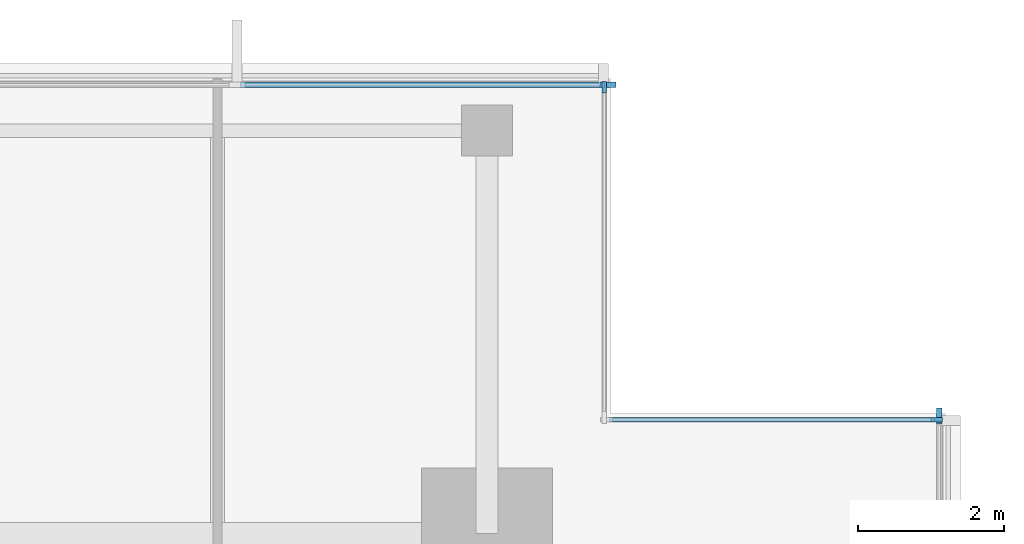
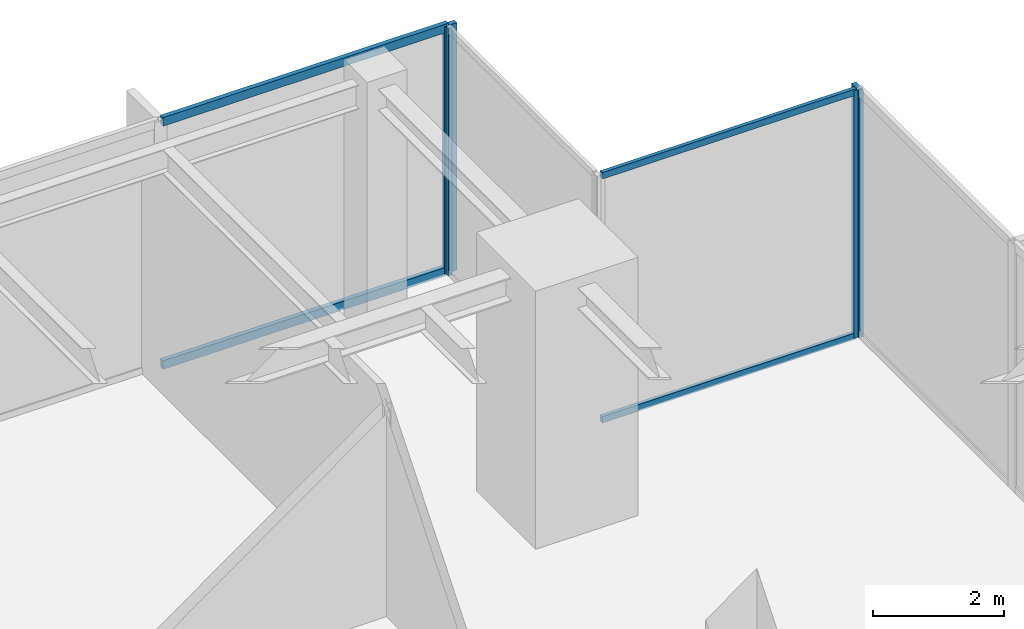
# One storey, part 6 of 14: 8 members, 4 elements without a shape of their own.
"""IFC4 building model written with IfcOpenShell, lengths in metres."""

from ifc_helpers import new_model, si_unit, direction, frame, origin, origin_2d, place, context, subcontext, project, spatial, rectangle, extrude, material, layer, layer_set, material_profile, profile_set, type_object, element, aggregate, save


model = new_model("IFC4")

# Units and contexts
model_context = context("Model", 3, precision=1e-05, world=origin(), true_north=direction((0.0, 1.0)))
body_context = subcontext(model_context, "Body", "Model", "MODEL_VIEW")
ifc_project = project(units=[si_unit("LENGTHUNIT", "METRE"), si_unit("AREAUNIT", "SQUARE_METRE"), si_unit("VOLUMEUNIT", "CUBIC_METRE"), si_unit("PLANEANGLEUNIT", "RADIAN"), si_unit("MASSUNIT", "GRAM", prefix="KILO")], contexts=[model_context])

# Site, building, storey
site_placement = place(None, origin())
site = spatial("IfcSite", under=ifc_project, at=site_placement, CompositionType="ELEMENT")
building_placement = place(site_placement, origin())
building = spatial("IfcBuilding", under=site, at=building_placement, Name="Kinhvarn Gate Tower", CompositionType="ELEMENT")
storey_placement = place(building_placement, frame((0.0, 0.0, 291.85009765625)))
storey = spatial("IfcBuildingStorey", under=building, at=storey_placement, Name="L78", CompositionType="ELEMENT", Elevation=291.85009765625)

# Curtain wall, member
ifc_material = material(Name="Anodised aluminium AW-6063", Category="aluminium")
ifc_layer_1 = layer(ifc_material, 0.179931640625)
ifc_layer_set_1 = layer_set([ifc_layer_1], Name="Anodised aluminium AW-6063")
curtain_wall_type_1 = type_object("IfcCurtainWallType", Name="CW-SYS-4", PredefinedType="NOTDEFINED", material=ifc_layer_set_1)
curtain_wall_1_placement = place(storey_placement, origin())
curtain_wall_1 = element("IfcCurtainWall", 1, at=curtain_wall_1_placement, inside=storey, type_object=curtain_wall_type_1, Name="Curtain Wall CW4 (L78)", PredefinedType="NOTDEFINED")
ifc_material_profile_1 = material_profile(ifc_material, rectangle(XDim=0.06494140625, YDim=0.159912109375, at=origin_2d()), Name="ALU 65x160")
ifc_profile_set_1 = profile_set([ifc_material_profile_1], Name="Anodised aluminium AW-6063")
member_type_1 = type_object("IfcMemberType", Name="CW-MUL-160", PredefinedType="MULLION", material=ifc_profile_set_1)
member_1_placement = place(storey_placement, frame((44.37744140625, 39.31005859375, 0.0), z_axis=(0.0, 0.0, 1.0), x_axis=(0.0, -1.0, 0.0)))
member_1 = element("IfcMember", 2, at=member_1_placement, type_object=member_type_1, Name="CW4 mullion 1", PredefinedType="MULLION", context=body_context, shape_type="SweptSolid", body=[
    extrude(rectangle(XDim=0.06494140625, YDim=0.159912109375, at=origin_2d()), origin(), (0.0, 0.0, 1.0), 4.599853515625),
])

curtain_wall_2_placement = place(storey_placement, origin())
curtain_wall_2 = element("IfcCurtainWall", 3, at=curtain_wall_2_placement, inside=storey, type_object=curtain_wall_type_1, Name="Curtain Wall CW4 (L78)", PredefinedType="NOTDEFINED")
member_2_placement = place(storey_placement, frame((39.81005859375, 43.87744140625, 0.0), z_axis=(0.0, 0.0, 1.0), x_axis=(-1.0, 0.0, 0.0)))
member_2 = element("IfcMember", 4, at=member_2_placement, type_object=member_type_1, Name="CW4 mullion 2", PredefinedType="MULLION", context=body_context, shape_type="SweptSolid", body=[
    extrude(rectangle(XDim=0.06494140625, YDim=0.159912109375, at=origin_2d()), origin(), (0.0, 0.0, 1.0), 4.599853515625),
])
aggregate(curtain_wall_2, [member_2])

ifc_layer_2 = layer(ifc_material, 0.219970703125)
ifc_layer_set_2 = layer_set([ifc_layer_2], Name="Anodised aluminium AW-6063")
curtain_wall_type_2 = type_object("IfcCurtainWallType", Name="CW-SYS-5", PredefinedType="NOTDEFINED", material=ifc_layer_set_2)
curtain_wall_3_placement = place(storey_placement, origin())
curtain_wall_3 = element("IfcCurtainWall", 5, at=curtain_wall_3_placement, inside=storey, type_object=curtain_wall_type_2, Name="Curtain Wall CW5 (L78)", PredefinedType="NOTDEFINED")
ifc_material_profile_2 = material_profile(ifc_material, rectangle(XDim=0.080078125, YDim=0.219970703125, at=origin_2d()), Name="ALU 80x220")
ifc_profile_set_2 = profile_set([ifc_material_profile_2], Name="Anodised aluminium AW-6063")
member_type_2 = type_object("IfcMemberType", Name="CW-MUL-220", PredefinedType="MULLION", material=ifc_profile_set_2)
member_3_placement = place(storey_placement, frame((39.860107421875, 43.909912109375, 0.0), z_axis=(0.0, 0.0, 1.0), x_axis=(0.0, -1.0, 0.0)))
member_3 = element("IfcMember", 6, at=member_3_placement, type_object=member_type_2, Name="CW5 mullion 1", PredefinedType="MULLION", context=body_context, shape_type="SweptSolid", body=[
    extrude(rectangle(XDim=0.080078125, YDim=0.219970703125, at=origin_2d()), origin(), (0.0, 0.0, 1.0), 4.599853515625),
])

curtain_wall_4_placement = place(storey_placement, origin())
curtain_wall_4 = element("IfcCurtainWall", 7, at=curtain_wall_4_placement, inside=storey, type_object=curtain_wall_type_2, Name="Curtain Wall CW5 (L78)", PredefinedType="NOTDEFINED")
member_4_placement = place(storey_placement, frame((44.409912109375, 39.360107421875, 0.0), z_axis=(0.0, 0.0, 1.0), x_axis=(-1.0, 0.0, 0.0)))
member_4 = element("IfcMember", 8, at=member_4_placement, type_object=member_type_2, Name="CW5 mullion 7", PredefinedType="MULLION", context=body_context, shape_type="SweptSolid", body=[
    extrude(rectangle(XDim=0.080078125, YDim=0.219970703125, at=origin_2d()), origin(), (0.0, 0.0, 1.0), 4.599853515625),
])
aggregate(curtain_wall_4, [member_4])

# Member
ifc_material_profile_3 = material_profile(ifc_material, rectangle(XDim=0.06494140625, YDim=0.1201171875, at=origin_2d()), Name="ALU 65x120")
ifc_profile_set_3 = profile_set([ifc_material_profile_3], Name="Anodised aluminium AW-6063")
member_type_3 = type_object("IfcMemberType", Name="CW-TRN-120", PredefinedType="USERDEFINED", material=ifc_profile_set_3)
member_5_placement = place(storey_placement, frame((44.344970703125, 39.31005859375, 0.032470703125), z_axis=(-1.0, 0.0, 0.0), x_axis=(0.0, -1.0, 0.0)))
member_5 = element("IfcMember", 9, at=member_5_placement, type_object=member_type_3, Name="CW4 transom 1.1", ObjectType="TRANSOM", PredefinedType="USERDEFINED", context=body_context, shape_type="SweptSolid", body=[
    extrude(rectangle(XDim=0.06494140625, YDim=0.1201171875, at=origin_2d()), origin(), (0.0, 0.0, 1.0), 4.469970703125),
])

member_6_placement = place(storey_placement, frame((44.344970703125, 39.31005859375, 4.5673828125), z_axis=(-1.0, 0.0, 0.0), x_axis=(0.0, -1.0, 0.0)))
member_6 = element("IfcMember", 10, at=member_6_placement, type_object=member_type_3, Name="CW4 transom 1.2", ObjectType="TRANSOM", PredefinedType="USERDEFINED", context=body_context, shape_type="SweptSolid", body=[
    extrude(rectangle(XDim=0.06494140625, YDim=0.1201171875, at=origin_2d()), origin(), (0.0, 0.0, 1.0), 4.469970703125),
])

aggregate(curtain_wall_1, [member_1, member_5, member_6])

ifc_material_profile_4 = material_profile(ifc_material, rectangle(XDim=0.080078125, YDim=0.159912109375, at=origin_2d()), Name="ALU 80x160")
ifc_profile_set_4 = profile_set([ifc_material_profile_4], Name="Anodised aluminium AW-6063")
member_type_4 = type_object("IfcMemberType", Name="CW-TRN-160", PredefinedType="USERDEFINED", material=ifc_profile_set_4)
member_7_placement = place(storey_placement, frame((39.820068359375, 43.909912109375, 0.039794921875), z_axis=(-1.0, 0.0, 0.0), x_axis=(0.0, -1.0, 0.0)))
member_7 = element("IfcMember", 11, at=member_7_placement, type_object=member_type_4, Name="CW5 transom 1.1", ObjectType="TRANSOM", PredefinedType="USERDEFINED", context=body_context, shape_type="SweptSolid", body=[
    extrude(rectangle(XDim=0.080078125, YDim=0.159912109375, at=origin_2d()), origin(), (0.0, 0.0, 1.0), 5.013427734375),
])

member_8_placement = place(storey_placement, frame((39.820068359375, 43.909912109375, 4.559814453125), z_axis=(-1.0, 0.0, 0.0), x_axis=(0.0, -1.0, 0.0)))
member_8 = element("IfcMember", 12, at=member_8_placement, type_object=member_type_4, Name="CW5 transom 1.2", ObjectType="TRANSOM", PredefinedType="USERDEFINED", context=body_context, shape_type="SweptSolid", body=[
    extrude(rectangle(XDim=0.080078125, YDim=0.159912109375, at=origin_2d()), origin(), (0.0, 0.0, 1.0), 5.013427734375),
])

aggregate(curtain_wall_3, [member_3, member_7, member_8])

save(model, "model.ifc")
